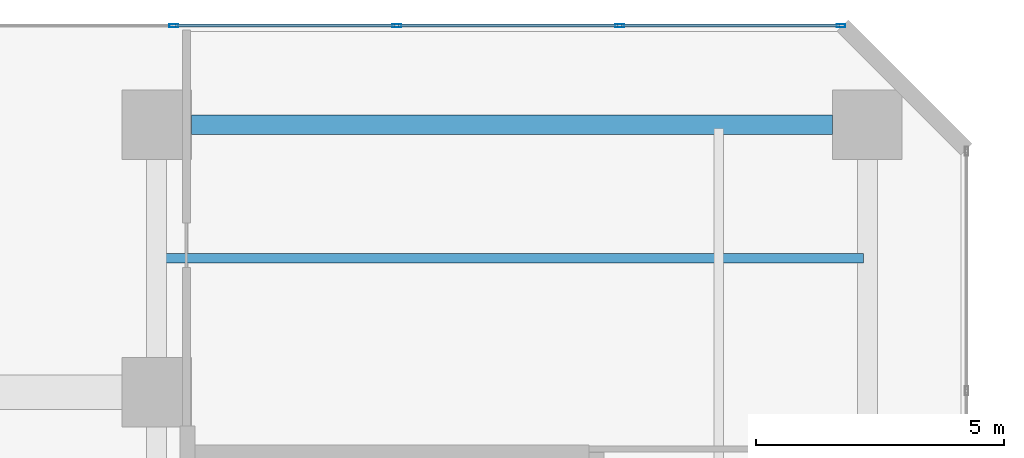
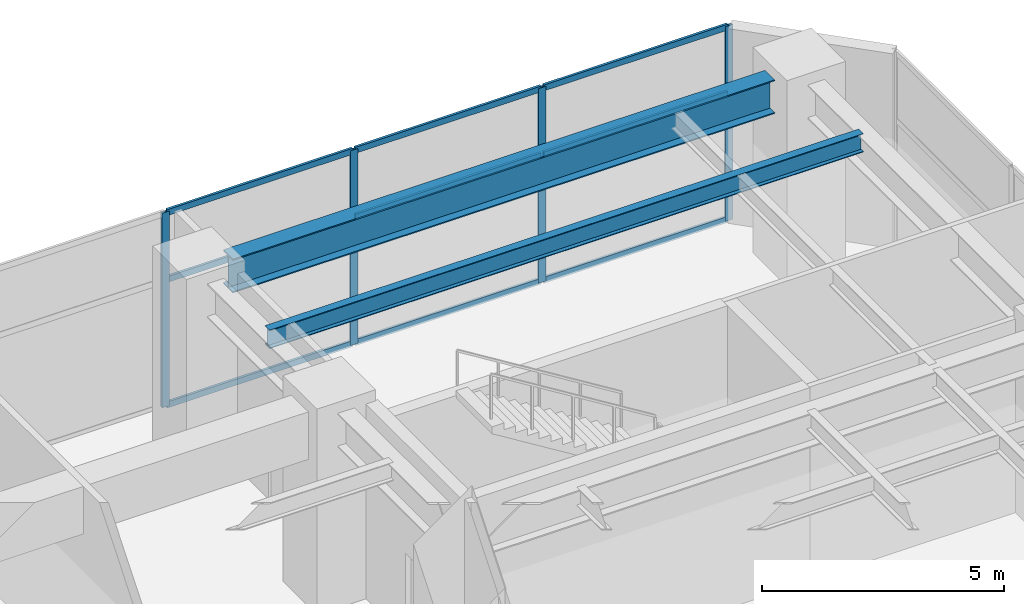
# One storey, part 7 of 22: 13 members, 2 beams, 1 element without a shape of its own.
"""IFC4 building model written with IfcOpenShell, lengths in metres."""

from ifc_helpers import new_model, si_unit, direction, frame, origin, origin_2d, place, context, subcontext, project, spatial, hollow_rectangle, i_section, extrude, material, layer, layer_set, material_profile, profile_set, type_object, element, aggregate, save


model = new_model("IFC4")

# Units and contexts
model_context = context("Model", 3, precision=1e-05, world=origin(), true_north=direction((0.0, 1.0)))
body_context = subcontext(model_context, "Body", "Model", "MODEL_VIEW")
ifc_project = project(units=[si_unit("LENGTHUNIT", "METRE"), si_unit("AREAUNIT", "SQUARE_METRE"), si_unit("VOLUMEUNIT", "CUBIC_METRE"), si_unit("PLANEANGLEUNIT", "RADIAN"), si_unit("MASSUNIT", "GRAM", prefix="KILO")], contexts=[model_context])

# Site, building, storey
site_placement = place(None, origin())
site = spatial("IfcSite", under=ifc_project, at=site_placement, CompositionType="ELEMENT")
building_placement = place(site_placement, origin())
building = spatial("IfcBuilding", under=site, at=building_placement, Name="Mawjaban Terraces University", CompositionType="ELEMENT")
storey_placement = place(building_placement, frame((0.0, 0.0, 5.199951171875)))
storey = spatial("IfcBuildingStorey", under=building, at=storey_placement, Name="L01", CompositionType="ELEMENT", Elevation=5.199951171875)

# Beams
ifc_material_1 = material(Name="Steel ASTM A572 Grade 50", Category="steel")
ifc_material_profile_1 = material_profile(ifc_material_1, i_section(OverallWidth=0.39990234375, OverallDepth=0.85498046875, WebThickness=0.018310546875, FlangeThickness=0.029296875, at=origin_2d()), Name="W840X299")
ifc_profile_set_1 = profile_set([ifc_material_profile_1], Name="Steel ASTM A572 Grade 50")
beam_type_1 = type_object("IfcBeamType", Name="Beam_B_W840X299", PredefinedType="BEAM", material=ifc_profile_set_1)
beam_1_placement = place(storey_placement, frame((38.35009765625, 52.0, 4.491943359375), z_axis=(1.0, 0.0, 0.0), x_axis=(0.0, 1.0, 0.0)))
element("IfcBeam", 1, at=beam_1_placement, inside=storey, type_object=beam_type_1, Name="L01 Beam BM-L01-EW-18", PredefinedType="BEAM", context=body_context, shape_type="SweptSolid", body=[
    extrude(i_section(OverallWidth=0.39990234375, OverallDepth=0.85498046875, WebThickness=0.018310546875, FlangeThickness=0.029296875, at=origin_2d()), origin(), (0.0, 0.0, 1.0), 12.949951171875),
])
ifc_material_profile_2 = material_profile(ifc_material_1, i_section(OverallWidth=0.194091796875, OverallDepth=0.468994140625, WebThickness=0.011474609375, FlangeThickness=0.0205078125, at=origin_2d()), Name="W460X106")
ifc_profile_set_2 = profile_set([ifc_material_profile_2], Name="Steel ASTM A572 Grade 50")
beam_type_2 = type_object("IfcBeamType", Name="Beam_J_W460X106", PredefinedType="JOIST", material=ifc_profile_set_2)
beam_2_placement = place(storey_placement, frame((37.72998046875, 49.300048828125, 4.68505859375), z_axis=(1.0, 0.0, 0.0), x_axis=(0.0, 1.0, 0.0)))
element("IfcBeam", 2, at=beam_2_placement, inside=storey, type_object=beam_type_2, Name="L01 Composite Joist JST-L01-25", PredefinedType="JOIST", context=body_context, shape_type="SweptSolid", body=[
    extrude(i_section(OverallWidth=0.194091796875, OverallDepth=0.468994140625, WebThickness=0.011474609375, FlangeThickness=0.0205078125, at=origin_2d()), origin(), (0.0, 0.0, 1.0), 14.18994140625),
])

# Curtain wall, members
ifc_material_2 = material(Name="Anodised aluminium 6063-T6 and solar-control low-E glass", Category="aluminium")
ifc_layer = layer(ifc_material_2, 0.179931640625)
ifc_layer_set = layer_set([ifc_layer], Name="Anodised aluminium 6063-T6 and solar-control low-E glass")
curtain_wall_type = type_object("IfcCurtainWallType", Name="CWSystem_01_PlazaFoyer", PredefinedType="NOTDEFINED", material=ifc_layer_set)
curtain_wall_placement = place(storey_placement, origin())
curtain_wall = element("IfcCurtainWall", 3, at=curtain_wall_placement, inside=storey, type_object=curtain_wall_type, Name="L01 Curtain Wall CW-01 Run 8.1", PredefinedType="NOTDEFINED")
ifc_material_3 = material(Name="Anodised aluminium 6063-T6", Category="aluminium")
ifc_material_profile_3 = material_profile(ifc_material_3, hollow_rectangle(XDim=0.06494140625, YDim=0.179931640625, WallThickness=0.00390625, at=origin_2d()), Name="ALU180X65X4")
ifc_profile_set_3 = profile_set([ifc_material_profile_3], Name="Anodised aluminium 6063-T6")
member_type_1 = type_object("IfcMemberType", Name="Mullion_CW-01", PredefinedType="MULLION", material=ifc_profile_set_3)
member_1_placement = place(storey_placement, frame((51.467529296875, 54.0, 0.0), z_axis=(0.0, 0.0, 1.0), x_axis=(0.0, -1.0, 0.0)))
member_1 = element("IfcMember", 4, at=member_1_placement, type_object=member_type_1, Name="CW-01 mullion 1", PredefinedType="MULLION", context=body_context, shape_type="SweptSolid", body=[
    extrude(hollow_rectangle(XDim=0.06494140625, YDim=0.179931640625, WallThickness=0.00390625, at=origin_2d()), origin(), (0.0, 0.0, 1.0), 4.920166015625),
])
member_2_placement = place(storey_placement, frame((47.0, 54.0, 0.0), z_axis=(0.0, 0.0, 1.0), x_axis=(0.0, -1.0, 0.0)))
member_2 = element("IfcMember", 5, at=member_2_placement, type_object=member_type_1, Name="CW-01 mullion 2", PredefinedType="MULLION", context=body_context, shape_type="SweptSolid", body=[
    extrude(hollow_rectangle(XDim=0.06494140625, YDim=0.179931640625, WallThickness=0.00390625, at=origin_2d()), origin(), (0.0, 0.0, 1.0), 4.920166015625),
])
member_3_placement = place(storey_placement, frame((42.5, 54.0, 0.0), z_axis=(0.0, 0.0, 1.0), x_axis=(0.0, -1.0, 0.0)))
member_3 = element("IfcMember", 6, at=member_3_placement, type_object=member_type_1, Name="CW-01 mullion 3", PredefinedType="MULLION", context=body_context, shape_type="SweptSolid", body=[
    extrude(hollow_rectangle(XDim=0.06494140625, YDim=0.179931640625, WallThickness=0.00390625, at=origin_2d()), origin(), (0.0, 0.0, 1.0), 4.920166015625),
])
member_4_placement = place(storey_placement, frame((38.0, 54.0, 0.0), z_axis=(0.0, 0.0, 1.0), x_axis=(0.0, -1.0, 0.0)))
member_4 = element("IfcMember", 7, at=member_4_placement, type_object=member_type_1, Name="CW-01 mullion 4", PredefinedType="MULLION", context=body_context, shape_type="SweptSolid", body=[
    extrude(hollow_rectangle(XDim=0.06494140625, YDim=0.179931640625, WallThickness=0.00390625, at=origin_2d()), origin(), (0.0, 0.0, 1.0), 4.920166015625),
])
ifc_material_profile_4 = material_profile(ifc_material_3, hollow_rectangle(XDim=0.06005859375, YDim=0.14990234375, WallThickness=0.00390625, at=origin_2d()), Name="ALU150X60X4")
ifc_profile_set_4 = profile_set([ifc_material_profile_4], Name="Anodised aluminium 6063-T6")
member_type_2 = type_object("IfcMemberType", Name="Transom_CW-01", PredefinedType="NOTDEFINED", material=ifc_profile_set_4)
member_5_placement = place(storey_placement, frame((51.43505859375, 54.0, 0.030029296875), z_axis=(-1.0, 0.0, 0.0), x_axis=(0.0, -1.0, 0.0)))
member_5 = element("IfcMember", 8, at=member_5_placement, type_object=member_type_2, Name="CW-01 transom 1.1", ObjectType="TRANSOM", PredefinedType="USERDEFINED", context=body_context, shape_type="SweptSolid", body=[
    extrude(hollow_rectangle(XDim=0.06005859375, YDim=0.14990234375, WallThickness=0.00390625, at=origin_2d()), origin(), (0.0, 0.0, 1.0), 4.402587890625),
])
member_6_placement = place(storey_placement, frame((51.43505859375, 54.0, 3.197998046875), z_axis=(-1.0, 0.0, 0.0), x_axis=(0.0, -1.0, 0.0)))
member_6 = element("IfcMember", 9, at=member_6_placement, type_object=member_type_2, Name="CW-01 transom 1.2", ObjectType="TRANSOM", PredefinedType="USERDEFINED", context=body_context, shape_type="SweptSolid", body=[
    extrude(hollow_rectangle(XDim=0.06005859375, YDim=0.14990234375, WallThickness=0.00390625, at=origin_2d()), origin(), (0.0, 0.0, 1.0), 4.402587890625),
])
member_7_placement = place(storey_placement, frame((51.43505859375, 54.0, 4.89013671875), z_axis=(-1.0, 0.0, 0.0), x_axis=(0.0, -1.0, 0.0)))
member_7 = element("IfcMember", 10, at=member_7_placement, type_object=member_type_2, Name="CW-01 transom 1.3", ObjectType="TRANSOM", PredefinedType="USERDEFINED", context=body_context, shape_type="SweptSolid", body=[
    extrude(hollow_rectangle(XDim=0.06005859375, YDim=0.14990234375, WallThickness=0.00390625, at=origin_2d()), origin(), (0.0, 0.0, 1.0), 4.402587890625),
])
member_8_placement = place(storey_placement, frame((46.967529296875, 54.0, 0.030029296875), z_axis=(-1.0, 0.0, 0.0), x_axis=(0.0, -1.0, 0.0)))
member_8 = element("IfcMember", 11, at=member_8_placement, type_object=member_type_2, Name="CW-01 transom 2.1", ObjectType="TRANSOM", PredefinedType="USERDEFINED", context=body_context, shape_type="SweptSolid", body=[
    extrude(hollow_rectangle(XDim=0.06005859375, YDim=0.14990234375, WallThickness=0.00390625, at=origin_2d()), origin(), (0.0, 0.0, 1.0), 4.43505859375),
])
member_9_placement = place(storey_placement, frame((46.967529296875, 54.0, 3.197998046875), z_axis=(-1.0, 0.0, 0.0), x_axis=(0.0, -1.0, 0.0)))
member_9 = element("IfcMember", 12, at=member_9_placement, type_object=member_type_2, Name="CW-01 transom 2.2", ObjectType="TRANSOM", PredefinedType="USERDEFINED", context=body_context, shape_type="SweptSolid", body=[
    extrude(hollow_rectangle(XDim=0.06005859375, YDim=0.14990234375, WallThickness=0.00390625, at=origin_2d()), origin(), (0.0, 0.0, 1.0), 4.43505859375),
])
member_10_placement = place(storey_placement, frame((46.967529296875, 54.0, 4.89013671875), z_axis=(-1.0, 0.0, 0.0), x_axis=(0.0, -1.0, 0.0)))
member_10 = element("IfcMember", 13, at=member_10_placement, type_object=member_type_2, Name="CW-01 transom 2.3", ObjectType="TRANSOM", PredefinedType="USERDEFINED", context=body_context, shape_type="SweptSolid", body=[
    extrude(hollow_rectangle(XDim=0.06005859375, YDim=0.14990234375, WallThickness=0.00390625, at=origin_2d()), origin(), (0.0, 0.0, 1.0), 4.43505859375),
])
member_11_placement = place(storey_placement, frame((42.467529296875, 54.0, 0.030029296875), z_axis=(-1.0, 0.0, 0.0), x_axis=(0.0, -1.0, 0.0)))
member_11 = element("IfcMember", 14, at=member_11_placement, type_object=member_type_2, Name="CW-01 transom 3.1", ObjectType="TRANSOM", PredefinedType="USERDEFINED", context=body_context, shape_type="SweptSolid", body=[
    extrude(hollow_rectangle(XDim=0.06005859375, YDim=0.14990234375, WallThickness=0.00390625, at=origin_2d()), origin(), (0.0, 0.0, 1.0), 4.43505859375),
])
member_12_placement = place(storey_placement, frame((42.467529296875, 54.0, 3.197998046875), z_axis=(-1.0, 0.0, 0.0), x_axis=(0.0, -1.0, 0.0)))
member_12 = element("IfcMember", 15, at=member_12_placement, type_object=member_type_2, Name="CW-01 transom 3.2", ObjectType="TRANSOM", PredefinedType="USERDEFINED", context=body_context, shape_type="SweptSolid", body=[
    extrude(hollow_rectangle(XDim=0.06005859375, YDim=0.14990234375, WallThickness=0.00390625, at=origin_2d()), origin(), (0.0, 0.0, 1.0), 4.43505859375),
])
member_13_placement = place(storey_placement, frame((42.467529296875, 54.0, 4.89013671875), z_axis=(-1.0, 0.0, 0.0), x_axis=(0.0, -1.0, 0.0)))
member_13 = element("IfcMember", 16, at=member_13_placement, type_object=member_type_2, Name="CW-01 transom 3.3", ObjectType="TRANSOM", PredefinedType="USERDEFINED", context=body_context, shape_type="SweptSolid", body=[
    extrude(hollow_rectangle(XDim=0.06005859375, YDim=0.14990234375, WallThickness=0.00390625, at=origin_2d()), origin(), (0.0, 0.0, 1.0), 4.43505859375),
])
aggregate(curtain_wall, [member_1, member_2, member_3, member_4, member_5, member_6, member_7, member_8, member_9, member_10, member_11, member_12, member_13])

save(model, "model.ifc")
